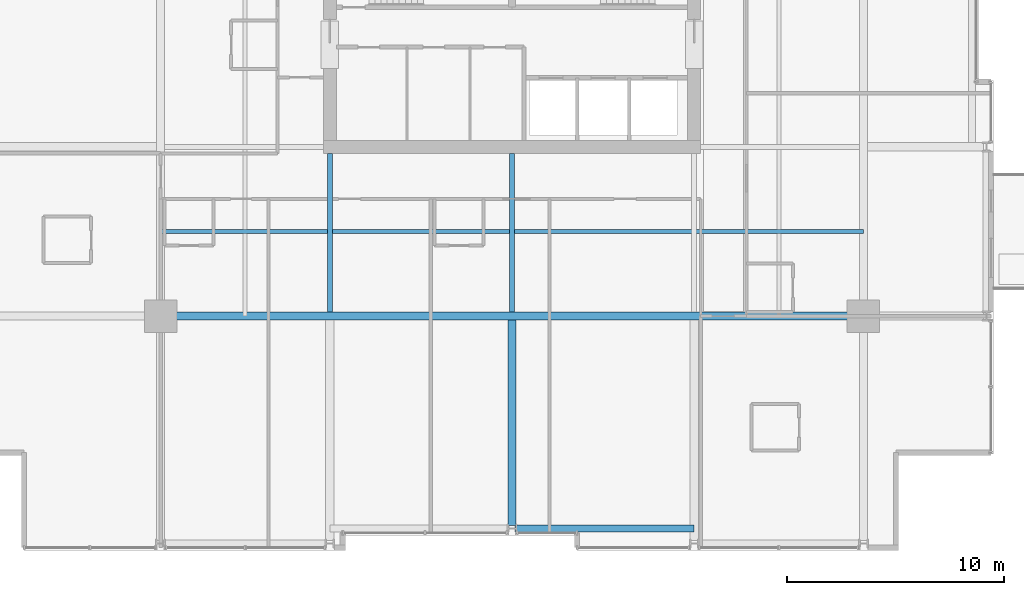
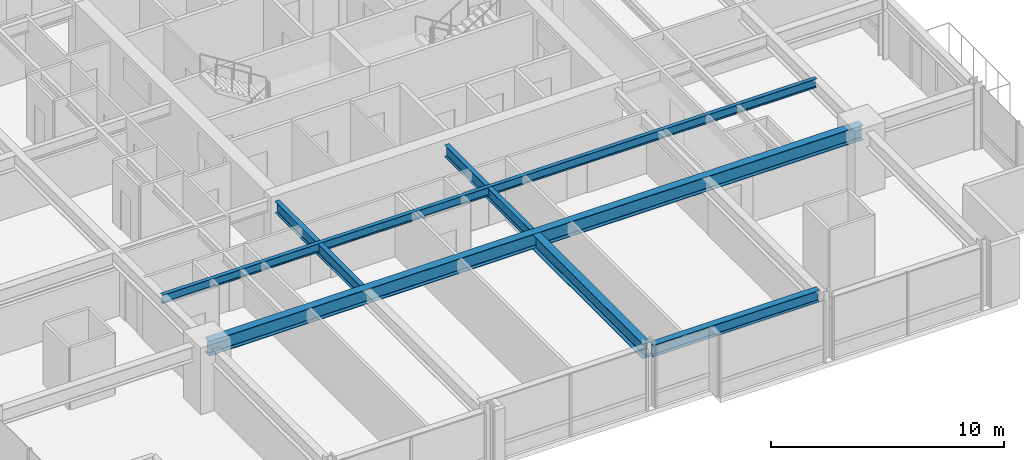
# One storey, part 6 of 34: 6 beams.
"""IFC4 building model written with IfcOpenShell, lengths in metres."""

import ifcopenshell
import ifcopenshell.guid

model = None  # the IFC model being written
_history = None  # IfcOwnerHistory: only IFC2X3 demands one
_inside = {}  # id of a spatial element -> (the spatial element, [elements in it])
_under = {}  # id of a project, library or spatial element -> (it, [spatial elements below it])
_declared = {}  # id of a project -> (the project, [libraries it declares])
_typed = {}  # id of a type object -> (the type object, [elements of that type])
_made_of = {}  # id of a material, layer set ... -> (it, [elements and type objects made of it])


def new_model(schema):
    """Start an empty IFC model of exactly this schema.

    Asked for "IFC4X3", IfcOpenShell would pick the latest addendum, in which some entities
    have other attributes; the version numbers below select the first issue.
    IFC2X3 requires an IfcOwnerHistory on every rooted entity: one is made here for all.
    """
    global model, _history
    if schema == "IFC4X3":
        model = ifcopenshell.file(schema_version=(4, 3, 0, 0))
    else:
        model = ifcopenshell.file(schema=schema)
    _inside.clear()
    _under.clear()
    _declared.clear()
    _typed.clear()
    _made_of.clear()
    _history = None
    if model.schema == "IFC2X3":
        org = make("IfcOrganization", Name="unknown")
        user = make(
            "IfcPersonAndOrganization",
            ThePerson=make("IfcPerson", FamilyName="unknown"),
            TheOrganization=org,
        )
        app = make(
            "IfcApplication",
            ApplicationDeveloper=org,
            Version="unknown",
            ApplicationFullName="unknown",
            ApplicationIdentifier="unknown",
        )
        _history = make(
            "IfcOwnerHistory",
            OwningUser=user,
            OwningApplication=app,
            ChangeAction="ADDED",
            CreationDate=0,
        )
    return model


def make(cls, **values):
    """One entity of the class cls with the attributes given. An attribute that is None is left unset."""
    return model.create_entity(
        cls, **{name: value for name, value in values.items() if value is not None}
    )


def rooted(cls, **values):
    """An entity with a GlobalId (a new one), such as an element, a storey or a relation."""
    return make(cls, GlobalId=ifcopenshell.guid.new(), OwnerHistory=_history, **values)


def si_unit(unit_type, name, prefix=None):
    """IfcSIUnit, for example si_unit("LENGTHUNIT", "METRE", prefix="MILLI")."""
    return make("IfcSIUnit", UnitType=unit_type, Prefix=prefix, Name=name)


def assignment(units):
    """IfcUnitAssignment: the units of a project."""
    return None if units is None else make("IfcUnitAssignment", Units=units)


def point(xyz):
    """IfcCartesianPoint."""
    return None if xyz is None else make("IfcCartesianPoint", Coordinates=xyz)


def direction(xyz):
    """IfcDirection."""
    return None if xyz is None else make("IfcDirection", DirectionRatios=xyz)


def frame(location, z_axis=None, x_axis=None):
    """IfcAxis2Placement3D, a coordinate frame: its origin and axes. An axis left out is left unset."""
    return make(
        "IfcAxis2Placement3D",
        Location=point(location),
        Axis=direction(z_axis),
        RefDirection=direction(x_axis),
    )


def frame_2d(location, x_axis=None):
    """IfcAxis2Placement2D, a coordinate frame in the plane: its origin and x axis."""
    return make(
        "IfcAxis2Placement2D", Location=point(location), RefDirection=direction(x_axis)
    )


def origin():
    """The frame at (0, 0, 0) with its axes left unset."""
    return frame((0.0, 0.0, 0.0))


def origin_2d():
    """The frame at (0, 0) in the plane with its x axis left unset."""
    return frame_2d((0.0, 0.0))


def place(relative_to, where):
    """IfcLocalPlacement: puts the frame where relative to a parent placement (None: the world)."""
    return make(
        "IfcLocalPlacement", PlacementRelTo=relative_to, RelativePlacement=where
    )


def context(
    kind, dimensions, precision=None, world=None, true_north=None, identifier=None
):
    """IfcGeometricRepresentationContext, for example the 3D "Model" context."""
    return make(
        "IfcGeometricRepresentationContext",
        ContextIdentifier=identifier,
        ContextType=kind,
        CoordinateSpaceDimension=dimensions,
        Precision=precision,
        WorldCoordinateSystem=world,
        TrueNorth=true_north,
    )


def subcontext(parent, identifier, kind, view, scale=None):
    """IfcGeometricRepresentationSubContext, for example "Body" below "Model"."""
    return make(
        "IfcGeometricRepresentationSubContext",
        ContextIdentifier=identifier,
        ContextType=kind,
        ParentContext=parent,
        TargetScale=scale,
        TargetView=view,
    )


def project(units=None, contexts=None):
    """IfcProject with its units and contexts."""
    return rooted(
        "IfcProject",
        Name="project",
        RepresentationContexts=contexts,
        UnitsInContext=assignment(units),
    )


def spatial(cls, under=None, at=None, **own):
    """A site, building, storey or space (cls), placed at a placement, below another one or the project."""
    s = rooted(cls, ObjectPlacement=at, **own)
    if under is not None:
        _under.setdefault(under.id(), (under, []))[1].append(s)
    return s


def profile(cls, at=None, kind="AREA", **sizes):
    """A parametric profile (cls). Its sizes go by their IFC names, for example OverallWidth=200.0."""
    return make(cls, ProfileType=kind, Position=at, **sizes)


def i_section(**sizes):
    """IfcIShapeProfileDef."""
    return profile("IfcIShapeProfileDef", **sizes)


def extrude(swept, where, along, depth):
    """IfcExtrudedAreaSolid: the profile swept, set in the frame where, extruded along a direction by depth."""
    return make(
        "IfcExtrudedAreaSolid",
        SweptArea=swept,
        Position=where,
        ExtrudedDirection=direction(along),
        Depth=depth,
    )


def shape(context_of_items, identifier, shape_type, items):
    """IfcShapeRepresentation: the items that make up one representation, for example the "Body"."""
    return make(
        "IfcShapeRepresentation",
        ContextOfItems=context_of_items,
        RepresentationIdentifier=identifier,
        RepresentationType=shape_type,
        Items=items,
    )


def material(Name=None, Category=None):
    """IfcMaterial."""
    return make("IfcMaterial", Name=Name, Category=Category)


def material_profile(
    of_material, cross_section, Name=None, Category=None, Priority=None
):
    """IfcMaterialProfile: a cross section and its material."""
    return make(
        "IfcMaterialProfile",
        Name=Name,
        Material=of_material,
        Profile=cross_section,
        Priority=Priority,
        Category=Category,
    )


def profile_set(profiles, Name=None, composite=None):
    """IfcMaterialProfileSet."""
    return make(
        "IfcMaterialProfileSet",
        Name=Name,
        MaterialProfiles=profiles,
        CompositeProfile=composite,
    )


def made_of(thing, what):
    """Note that an element or type object is made of a material, layer set ...; save() writes the relation."""
    if what is not None:
        _made_of.setdefault(what.id(), (what, []))[1].append(thing)
    return thing


def type_object(cls, material=None, **own):
    """A type object (cls), such as IfcWallType, which elements share."""
    return made_of(rooted(cls, **own), material)


def element(
    cls,
    number,
    at=None,
    inside=None,
    cuts=None,
    type_object=None,
    material=None,
    context=None,
    identifier="Body",
    shape_type=None,
    held_by="IfcProductDefinitionShape",
    body=None,
    shapes=None,
    **own,
):
    """One element of the class cls, such as IfcWall. Its Tag is "e" and its number.

    at: its placement. inside: the storey or other place that contains it. cuts: it is an
    opening in that element (IfcRelVoidsElement). A single representation is given by context,
    identifier, shape_type and body (its items); several are given by shapes. held_by: the class
    of the entity that holds the representations. save() writes the other relations.
    """
    e = rooted(cls, Tag="e%d" % number, ObjectPlacement=at, **own)
    if body is not None:
        shapes = [shape(context, identifier, shape_type, body)]
    if shapes is not None:
        e.Representation = make(held_by, Representations=shapes)
    if inside is not None:
        _inside.setdefault(inside.id(), (inside, []))[1].append(e)
    if cuts is not None:
        rooted(
            "IfcRelVoidsElement", RelatingBuildingElement=cuts, RelatedOpeningElement=e
        )
    if type_object is not None:
        _typed.setdefault(type_object.id(), (type_object, []))[1].append(e)
    return made_of(e, material)


def aggregate(whole, parts):
    """IfcRelAggregates: a whole, such as a stair, and the parts it consists of."""
    return rooted("IfcRelAggregates", RelatingObject=whole, RelatedObjects=parts)


def save(model, path):
    """Write the relations noted so far, then the file.

    IfcRelAggregates (storeys below a building ...), IfcRelContainedInSpatialStructure (elements
    in a storey), IfcRelDefinesByType, IfcRelAssociatesMaterial and IfcRelDeclares: one each for
    every whole, place, type object, material and project.
    """
    for whole, parts in _under.values():
        aggregate(whole, parts)
    for where, things in _inside.values():
        rooted(
            "IfcRelContainedInSpatialStructure",
            RelatedElements=things,
            RelatingStructure=where,
        )
    for kind, things in _typed.values():
        rooted("IfcRelDefinesByType", RelatedObjects=things, RelatingType=kind)
    for what, things in _made_of.values():
        rooted("IfcRelAssociatesMaterial", RelatedObjects=things, RelatingMaterial=what)
    for by, libraries in _declared.values():
        rooted("IfcRelDeclares", RelatingContext=by, RelatedDefinitions=libraries)
    model.write(path)


model = new_model("IFC4")

# Units and contexts
model_context = context("Model", 3, precision=1e-05, world=origin(), true_north=direction((0.0, 1.0)))
body_context = subcontext(model_context, "Body", "Model", "MODEL_VIEW")
ifc_project = project(units=[si_unit("LENGTHUNIT", "METRE"), si_unit("AREAUNIT", "SQUARE_METRE"), si_unit("VOLUMEUNIT", "CUBIC_METRE"), si_unit("PLANEANGLEUNIT", "RADIAN"), si_unit("MASSUNIT", "GRAM", prefix="KILO")], contexts=[model_context])

# Site, building, storey
site_placement = place(None, origin())
site = spatial("IfcSite", under=ifc_project, at=site_placement, CompositionType="ELEMENT")
building_placement = place(site_placement, origin())
building = spatial("IfcBuilding", under=site, at=building_placement, Name="Drelvath Grand Hotel", CompositionType="ELEMENT")
storey_placement = place(building_placement, frame((0.0, 0.0, 112.800048828125)))
storey = spatial("IfcBuildingStorey", under=building, at=storey_placement, Name="L28", CompositionType="ELEMENT", Elevation=112.800048828125)

# Beams
ifc_material = material(Name="Steel ASTM A992 Gr 50", Category="steel")
ifc_material_profile_1 = material_profile(ifc_material, i_section(OverallWidth=0.19140625, OverallDepth=0.4599609375, WebThickness=0.010009765625, FlangeThickness=0.01611328125, FilletRadius=0.01611328125, at=origin_2d()), Name="W18X55")
ifc_profile_set_1 = profile_set([ifc_material_profile_1], Name="Steel ASTM A992 Gr 50")
beam_type_1 = type_object("IfcBeamType", Name="Composite Floor Joist W18X55", PredefinedType="JOIST", material=ifc_profile_set_1)
beam_1_placement = place(storey_placement, frame((-16.199951171875, 14.699951171875, 3.010009765625), z_axis=(1.0, 0.0, 0.0), x_axis=(0.0, 1.0, 0.0)))
element("IfcBeam", 1, at=beam_1_placement, inside=storey, type_object=beam_type_1, Name="L28 Floor Joist J1", PredefinedType="JOIST", context=body_context, shape_type="SweptSolid", body=[
    extrude(i_section(OverallWidth=0.19140625, OverallDepth=0.4599609375, WebThickness=0.010009765625, FlangeThickness=0.01611328125, FilletRadius=0.01611328125, at=origin_2d()), origin(), (0.0, 0.0, 1.0), 32.39990234375),
])
ifc_material_profile_2 = material_profile(ifc_material, i_section(OverallWidth=0.323974609375, OverallDepth=0.611083984375, WebThickness=0.0126953125, FlangeThickness=0.01904296875, FilletRadius=0.02197265625, at=origin_2d()), Name="W24X104")
ifc_profile_set_2 = profile_set([ifc_material_profile_2], Name="Steel ASTM A992 Gr 50")
beam_type_2 = type_object("IfcBeamType", Name="Perimeter Spandrel Beam W24X104", PredefinedType="SPANDREL", material=ifc_profile_set_2)
beam_2_placement = place(storey_placement, frame((0.139892578125, 1.0, 2.9345703125), z_axis=(1.0, 0.0, 0.0), x_axis=(0.0, 1.0, 0.0)))
element("IfcBeam", 2, at=beam_2_placement, inside=storey, type_object=beam_type_2, Name="L28 Spandrel South Mid E", PredefinedType="SPANDREL", context=body_context, shape_type="SweptSolid", body=[
    extrude(i_section(OverallWidth=0.323974609375, OverallDepth=0.611083984375, WebThickness=0.0126953125, FlangeThickness=0.01904296875, FilletRadius=0.02197265625, at=origin_2d()), origin(), (0.0, 0.0, 1.0), 8.260009765625),
])
ifc_material_profile_3 = material_profile(ifc_material, i_section(OverallWidth=0.228271484375, OverallDepth=0.607666015625, WebThickness=0.01123046875, FlangeThickness=0.017333984375, FilletRadius=0.02001953125, at=origin_2d()), Name="W24X76")
ifc_profile_set_3 = profile_set([ifc_material_profile_3], Name="Steel ASTM A992 Gr 50")
beam_type_3 = type_object("IfcBeamType", Name="Primary Floor Girder W24X76", PredefinedType="BEAM", material=ifc_profile_set_3)
for number, where, z_axis, x_axis, name in (
    (3, (-8.39990234375, 10.990234375, 2.93603515625), (0.0, 1.0, 0.0), (-1.0, 0.0, 0.0), "L28 South Core Tie 4"),
    (4, (0.0, 10.990234375, 2.93603515625), (0.0, 1.0, 0.0), (-1.0, 0.0, 0.0), "L28 South Core Tie 5"),
):
    element("IfcBeam", number, at=place(storey_placement, frame(where, z_axis=z_axis, x_axis=x_axis)), inside=storey, type_object=beam_type_3, Name=name, PredefinedType="BEAM", context=body_context, shape_type="SweptSolid", body=[
        extrude(i_section(OverallWidth=0.228271484375, OverallDepth=0.607666015625, WebThickness=0.01123046875, FlangeThickness=0.017333984375, FilletRadius=0.02001953125, at=origin_2d()), origin(), (0.0, 0.0, 1.0), 7.309814453125),
    ])
ifc_material_profile_4 = material_profile(ifc_material, i_section(OverallWidth=0.380615234375, OverallDepth=0.773193359375, WebThickness=0.0166015625, FlangeThickness=0.027099609375, FilletRadius=0.02490234375, at=origin_2d()), Name="W30X173")
ifc_profile_set_4 = profile_set([ifc_material_profile_4], Name="Steel ASTM A992 Gr 50")
beam_type_4 = type_object("IfcBeamType", Name="Primary Floor Girder W30X173", PredefinedType="BEAM", material=ifc_profile_set_4)
beam_3_placement = place(storey_placement, frame((-16.199951171875, 10.800048828125, 2.853271484375), z_axis=(1.0, 0.0, 0.0), x_axis=(0.0, 1.0, 0.0)))
element("IfcBeam", 5, at=beam_3_placement, inside=storey, type_object=beam_type_4, Name="L28 Mega Ring Girder South", PredefinedType="BEAM", context=body_context, shape_type="SweptSolid", body=[
    extrude(i_section(OverallWidth=0.380615234375, OverallDepth=0.773193359375, WebThickness=0.0166015625, FlangeThickness=0.027099609375, FilletRadius=0.02490234375, at=origin_2d()), origin(), (0.0, 0.0, 1.0), 32.39990234375),
])
beam_4_placement = place(storey_placement, frame((0.0, 1.139892578125, 2.853271484375), z_axis=(0.0, 1.0, 0.0), x_axis=(-1.0, 0.0, 0.0)))
element("IfcBeam", 6, at=beam_4_placement, inside=storey, type_object=beam_type_4, Name="L28 South Wing Girder 5", PredefinedType="BEAM", context=body_context, shape_type="SweptSolid", body=[
    extrude(i_section(OverallWidth=0.380615234375, OverallDepth=0.773193359375, WebThickness=0.0166015625, FlangeThickness=0.027099609375, FilletRadius=0.02490234375, at=origin_2d()), origin(), (0.0, 0.0, 1.0), 9.4697265625),
])

save(model, "model.ifc")
